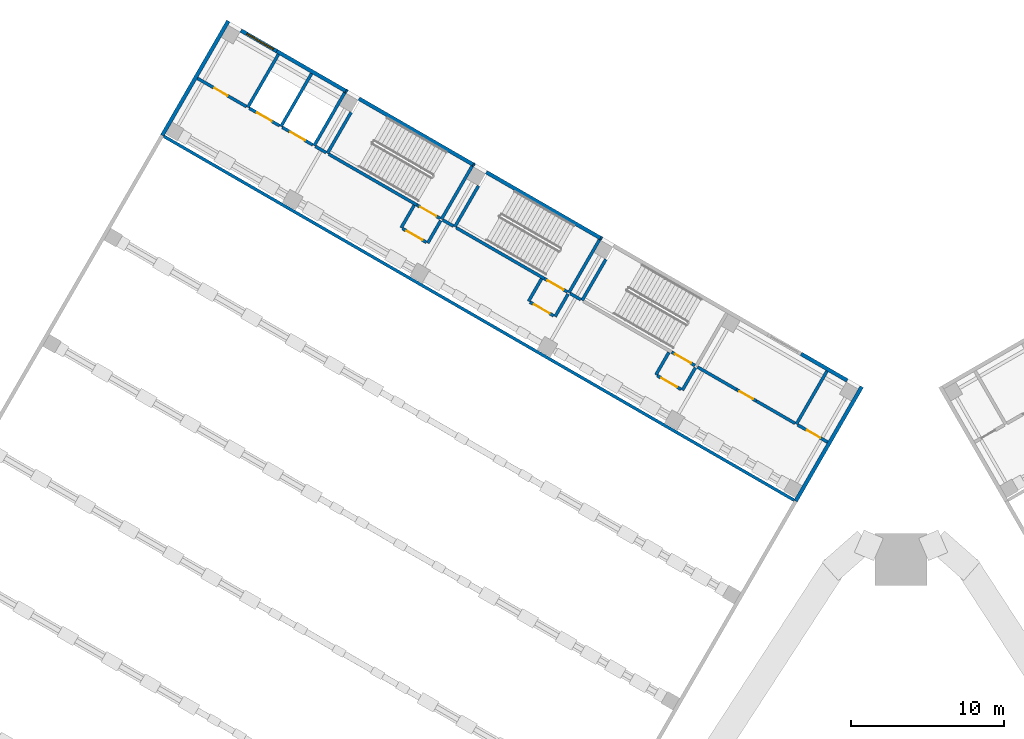
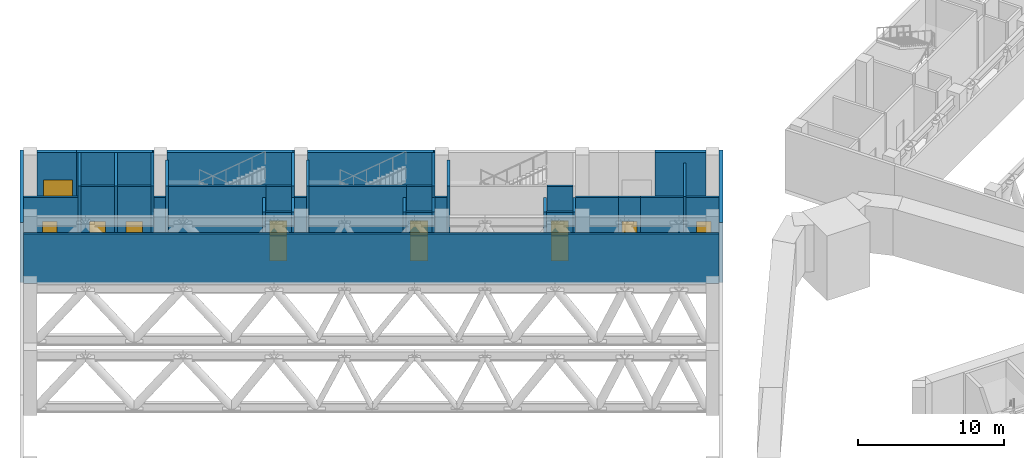
# One storey, part 20 of 37: 44 walls, 11 doors, 1 window, 12 openings.
"""IFC4 building model written with IfcOpenShell, lengths in metres."""

from ifc_helpers import new_model, si_unit, direction, frame, frame_2d, origin, place, context, subcontext, project, spatial, rectangle, extrude, material, layer, layer_set, type_object, element, fill, save


model = new_model("IFC4")

# Units and contexts
model_context = context("Model", 3, precision=1e-05, world=origin(), true_north=direction((0.0, 1.0)))
body_context = subcontext(model_context, "Body", "Model", "MODEL_VIEW")
ifc_project = project(units=[si_unit("LENGTHUNIT", "METRE"), si_unit("AREAUNIT", "SQUARE_METRE"), si_unit("VOLUMEUNIT", "CUBIC_METRE"), si_unit("PLANEANGLEUNIT", "RADIAN"), si_unit("MASSUNIT", "GRAM", prefix="KILO")], contexts=[model_context])

# Site, building, storey
site_placement = place(None, origin())
site = spatial("IfcSite", under=ifc_project, at=site_placement, CompositionType="ELEMENT")
building_placement = place(site_placement, origin())
building = spatial("IfcBuilding", under=site, at=building_placement, Name="Mestral Congress Tower", CompositionType="ELEMENT")
storey_placement = place(building_placement, frame((0.0, 0.0, 16.199951171875)))
storey = spatial("IfcBuildingStorey", under=building, at=storey_placement, Name="L03", CompositionType="ELEMENT", Elevation=16.199951171875)

# Walls
ifc_material_1 = material(Name="Precast concrete C40/50 with limestone facing", Category="masonry")
ifc_layer_1 = layer(ifc_material_1, 0.25)
ifc_layer_set_1 = layer_set([ifc_layer_1], Name="Precast concrete C40/50 with limestone facing")
wall_type_1 = type_object("IfcWallType", Name="Podium external wall 250", PredefinedType="SOLIDWALL", material=ifc_layer_set_1)
for number, where, z_axis, x_axis, name in (
    (1, (-2.5625, 47.66748046875, 0.0), (0.0, 0.0, 1.0), (-0.499999331568, -0.866025789703, 0.0), "L03 external wall"),
    (2, (-48.227783203125, 64.072998046875, 0.0), (0.0, 0.0, 1.0), (0.499999331568, 0.866025789703, 0.0), "L03 external wall"),
):
    element("IfcWall", number, at=place(storey_placement, frame(where, z_axis=z_axis, x_axis=x_axis)), inside=storey, type_object=wall_type_1, Name=name, PredefinedType="SOLIDWALL", context=body_context, shape_type="SweptSolid", body=[
        extrude(rectangle(XDim=8.625, YDim=0.25, at=frame_2d((4.3125, 0.0))), origin(), (0.0, 0.0, 1.0), 5.0),
    ])
wall_1_placement = place(storey_placement, frame((-6.522216796875, 49.80908203125, 0.0), z_axis=(0.0, 0.0, 1.0), x_axis=(0.866055725969, -0.499947476758, 0.0)))
element("IfcWall", 3, at=wall_1_placement, inside=storey, type_object=wall_type_1, Name="L03 external wall", PredefinedType="SOLIDWALL", context=body_context, shape_type="SweptSolid", body=[
    extrude(rectangle(XDim=3.474853515625, YDim=0.25, at=frame_2d((1.7373046875, 0.0))), origin(), (0.0, 0.0, 1.0), 5.0),
])
wall_2_placement = place(storey_placement, frame((-27.068603515625, 61.671630859375, 0.0), z_axis=(0.0, 0.0, 1.0), x_axis=(0.866021068297, -0.500007509209, 0.0)))
element("IfcWall", 4, at=wall_2_placement, inside=storey, type_object=wall_type_1, Name="L03 external wall", PredefinedType="SOLIDWALL", context=body_context, shape_type="SweptSolid", body=[
    extrude(rectangle(XDim=8.599853515625, YDim=0.25, at=frame_2d((4.2998046875, 0.0))), origin(), (0.0, 0.0, 1.0), 5.0),
])
wall_3_placement = place(storey_placement, frame((-35.382568359375, 66.4716796875, 0.0), z_axis=(0.0, 0.0, 1.0), x_axis=(0.866028165386, -0.499995216735, 0.0)))
element("IfcWall", 5, at=wall_3_placement, inside=storey, type_object=wall_type_1, Name="L03 external wall", PredefinedType="SOLIDWALL", context=body_context, shape_type="SweptSolid", body=[
    extrude(rectangle(XDim=8.60009765625, YDim=0.25, at=frame_2d((4.300048828125, 0.0))), origin(), (0.0, 0.0, 1.0), 5.0),
])
wall_4_placement = place(storey_placement, frame((-40.751708984375, 69.57177734375, 0.0), z_axis=(0.0, 0.0, 1.0), x_axis=(0.866009661879, -0.500027264788, 0.0)))
element("IfcWall", 6, at=wall_4_placement, inside=storey, type_object=wall_type_1, Name="L03 external wall", PredefinedType="SOLIDWALL", context=body_context, shape_type="SweptSolid", body=[
    extrude(rectangle(XDim=5.199951171875, YDim=0.25, at=frame_2d((2.60009765625, 0.0))), origin(), (0.0, 0.0, 1.0), 5.0),
])

# Wall, opening, window
wall_5_placement = place(storey_placement, frame((-43.090087890625, 70.921630859375, 0.0), z_axis=(0.0, 0.0, 1.0), x_axis=(0.866059108428, -0.4999416173, 0.0)))
wall_5 = element("IfcWall", 7, at=wall_5_placement, inside=storey, type_object=wall_type_1, Name="L03 external wall", PredefinedType="SOLIDWALL", context=body_context, shape_type="SweptSolid", body=[
    extrude(rectangle(XDim=2.699951171875, YDim=0.25, at=frame_2d((1.35009765625, 0.0))), origin(), (0.0, 0.0, 1.0), 5.0),
])
opening_1_placement = place(wall_5_placement, frame((0.449951171875, 0.0, 0.89990234375)))
opening_1 = element("IfcOpeningElement", 8, at=opening_1_placement, cuts=wall_5, Name="Opening PW-2000x1800", PredefinedType="OPENING", context=body_context, shape_type="SweptSolid", body=[
    extrude(rectangle(XDim=2.0, YDim=1.800048828125, at=frame_2d((1.0, 0.89990234375))), frame((0.0, 0.135009765625, 0.0), z_axis=(0.0, -1.0, 0.0), x_axis=(1.0, 0.0, 0.0)), (0.0, 0.0, 1.0), 0.27001953125),
])
ifc_material_2 = material(Name="Aluminium frame, clear double glazing", Category="aluminium")
window_type = type_object("IfcWindowType", Name="Podium window 2000x1800 sill 900", PartitioningType="SINGLE_PANEL", PredefinedType="WINDOW", material=ifc_material_2)
window_placement = place(opening_1_placement, origin())
window = element("IfcWindow", 9, at=window_placement, inside=storey, type_object=window_type, Name="Window", OverallHeight=1.800048828125, OverallWidth=2.0, PartitioningType="SINGLE_PANEL", PredefinedType="WINDOW", context=body_context, shape_type="SweptSolid", body=[
    extrude(rectangle(XDim=2.0, YDim=1.800048828125, at=frame_2d((1.0, 0.89990234375))), frame((0.0, 0.030029296875, 0.0), z_axis=(0.0, -1.0, 0.0), x_axis=(1.0, 0.0, 0.0)), (0.0, 0.0, 1.0), 0.06005859375),
])
fill(opening_1, window)

# Walls
wall_6_placement = place(storey_placement, frame((-19.620849609375, 57.37158203125, 0.0), z_axis=(0.0, 0.0, 1.0), x_axis=(0.867038199201, -0.4982416694, 0.0)))
element("IfcWall", 10, at=wall_6_placement, inside=storey, type_object=wall_type_1, Name="L03 external wall", PredefinedType="SOLIDWALL", context=body_context, shape_type="SweptSolid", body=[
    extrude(rectangle(XDim=0.099853515625, YDim=0.25, at=frame_2d((0.0498046875, 0.0))), origin(), (0.0, 0.0, 1.0), 5.0),
])
for number, where, z_axis, x_axis, name in (
    (11, (-27.9345703125, 62.171630859375, 0.0), (0.0, 0.0, 1.0), (0.865982457891, -0.500074377092, 0.0), "L03 external wall"),
    (12, (-36.24853515625, 66.9716796875, 0.0), (0.0, 0.0, 1.0), (0.865982457891, -0.500074377092, 0.0), "L03 external wall"),
):
    element("IfcWall", number, at=place(storey_placement, frame(where, z_axis=z_axis, x_axis=x_axis)), inside=storey, type_object=wall_type_1, Name=name, PredefinedType="SOLIDWALL", context=body_context, shape_type="SweptSolid", body=[
        extrude(rectangle(XDim=0.10009765625, YDim=0.25, at=frame_2d((0.050048828125, 0.0))), origin(), (0.0, 0.0, 1.0), 5.0),
    ])
ifc_material_3 = material(Name="Masonry block wall", Category="masonry")
ifc_layer_2 = layer(ifc_material_3, 0.199951171875)
ifc_layer_set_2 = layer_set([ifc_layer_2], Name="Masonry block wall")
wall_type_2 = type_object("IfcWallType", Name="Podium stair enclosure wall 200 EI 120 load-bearing", PredefinedType="SOLIDWALL", material=ifc_layer_set_2)
wall_7_placement = place(storey_placement, frame((-19.267333984375, 55.984130859375, 0.0), z_axis=(0.0, 0.0, 1.0), x_axis=(-0.49999285859, -0.86602952684, 0.0)))
element("IfcWall", 13, at=wall_7_placement, inside=storey, type_object=wall_type_2, Name="L03 partition", PredefinedType="SOLIDWALL", context=body_context, shape_type="SweptSolid", body=[
    extrude(rectangle(XDim=3.10009765625, YDim=0.199951171875, at=frame_2d((1.550048828125, 0.0))), origin(), (0.0, 0.0, 1.0), 5.0),
])
wall_8_placement = place(storey_placement, frame((-19.683349609375, 57.263427734375, 0.0), z_axis=(0.0, 0.0, 1.0), x_axis=(-0.49999894854, -0.866026010844, 0.0)))
element("IfcWall", 14, at=wall_8_placement, inside=storey, type_object=wall_type_2, Name="L03 partition", PredefinedType="SOLIDWALL", context=body_context, shape_type="SweptSolid", body=[
    extrude(rectangle(XDim=4.0, YDim=0.199951171875, at=frame_2d((2.0, 0.0))), origin(), (0.0, 0.0, 1.0), 5.0),
])
wall_9_placement = place(storey_placement, frame((-27.5810546875, 60.7841796875, 0.0), z_axis=(0.0, 0.0, 1.0), x_axis=(-0.49999285859, -0.86602952684, 0.0)))
element("IfcWall", 15, at=wall_9_placement, inside=storey, type_object=wall_type_2, Name="L03 partition", PredefinedType="SOLIDWALL", context=body_context, shape_type="SweptSolid", body=[
    extrude(rectangle(XDim=3.10009765625, YDim=0.199951171875, at=frame_2d((1.550048828125, 0.0))), origin(), (0.0, 0.0, 1.0), 5.0),
])
wall_10_placement = place(storey_placement, frame((-27.9970703125, 62.0634765625, 0.0), z_axis=(0.0, 0.0, 1.0), x_axis=(-0.49999894854, -0.866026010844, 0.0)))
element("IfcWall", 16, at=wall_10_placement, inside=storey, type_object=wall_type_2, Name="L03 partition", PredefinedType="SOLIDWALL", context=body_context, shape_type="SweptSolid", body=[
    extrude(rectangle(XDim=4.0, YDim=0.199951171875, at=frame_2d((2.0, 0.0))), origin(), (0.0, 0.0, 1.0), 5.0),
])
wall_11_placement = place(storey_placement, frame((-35.89501953125, 65.583984375, 0.0), z_axis=(0.0, 0.0, 1.0), x_axis=(-0.500026960575, -0.86600983753, 0.0)))
element("IfcWall", 17, at=wall_11_placement, inside=storey, type_object=wall_type_2, Name="L03 partition", PredefinedType="SOLIDWALL", context=body_context, shape_type="SweptSolid", body=[
    extrude(rectangle(XDim=3.099853515625, YDim=0.199951171875, at=frame_2d((1.5498046875, 0.0))), origin(), (0.0, 0.0, 1.0), 5.0),
])

# Wall, opening, door
wall_12_placement = place(storey_placement, frame((-14.9716796875, 49.92431640625, 0.0), z_axis=(0.0, 0.0, 1.0), x_axis=(0.866036909293, -0.499980071345, 0.0)))
wall_12 = element("IfcWall", 18, at=wall_12_placement, inside=storey, type_object=wall_type_2, Name="L03 partition", PredefinedType="SOLIDWALL", context=body_context, shape_type="SweptSolid", body=[
    extrude(rectangle(XDim=1.75, YDim=0.199951171875, at=frame_2d((0.875, 0.0))), origin(), (0.0, 0.0, 1.0), 5.0),
])
opening_2_placement = place(wall_12_placement, frame((0.25, 0.0, 0.0)))
opening_2 = element("IfcOpeningElement", 19, at=opening_2_placement, cuts=wall_12, Name="Opening P03-301", PredefinedType="OPENING", context=body_context, shape_type="SweptSolid", body=[
    extrude(rectangle(XDim=1.199951171875, YDim=2.10009765625, at=frame_2d((0.60009765625, 1.050048828125))), frame((0.0, 0.10986328125, 0.0), z_axis=(0.0, -1.0, 0.0), x_axis=(1.0, 0.0, 0.0)), (0.0, 0.0, 1.0), 0.219970703125),
])
ifc_material_4 = material(Name="Fire-rated steel door set", Category="steel")
door_type_1 = type_object("IfcDoorType", Name="Podium stair door 1200x2100 EI2 30-C5", OperationType="SINGLE_SWING_LEFT", PredefinedType="DOOR", material=ifc_material_4)
door_1_placement = place(opening_2_placement, origin())
door_1 = element("IfcDoor", 20, at=door_1_placement, inside=storey, type_object=door_type_1, Name="Door P03-301", OperationType="SINGLE_SWING_LEFT", OverallHeight=2.10009765625, OverallWidth=1.199951171875, PredefinedType="DOOR", context=body_context, shape_type="SweptSolid", body=[
    extrude(rectangle(XDim=1.199951171875, YDim=2.10009765625, at=frame_2d((0.60009765625, 1.050048828125))), frame((0.0, 0.02490234375, 0.0), z_axis=(0.0, -1.0, 0.0), x_axis=(1.0, 0.0, 0.0)), (0.0, 0.0, 1.0), 0.050048828125),
])
fill(opening_2, door_1)

wall_13_placement = place(storey_placement, frame((-23.285400390625, 54.724365234375, 0.0), z_axis=(0.0, 0.0, 1.0), x_axis=(0.866002029911, -0.500040482552, 0.0)))
wall_13 = element("IfcWall", 21, at=wall_13_placement, inside=storey, type_object=wall_type_2, Name="L03 partition", PredefinedType="SOLIDWALL", context=body_context, shape_type="SweptSolid", body=[
    extrude(rectangle(XDim=1.749755859375, YDim=0.199951171875, at=frame_2d((0.875, 0.0))), origin(), (0.0, 0.0, 1.0), 5.0),
])
opening_3_placement = place(wall_13_placement, frame((0.25, 0.0, 0.0)))
opening_3 = element("IfcOpeningElement", 22, at=opening_3_placement, cuts=wall_13, Name="Opening P03-302", PredefinedType="OPENING", context=body_context, shape_type="SweptSolid", body=[
    extrude(rectangle(XDim=1.199951171875, YDim=2.10009765625, at=frame_2d((0.60009765625, 1.050048828125))), frame((0.0, 0.10986328125, 0.0), z_axis=(0.0, -1.0, 0.0), x_axis=(1.0, 0.0, 0.0)), (0.0, 0.0, 1.0), 0.219970703125),
])
door_2_placement = place(opening_3_placement, origin())
door_2 = element("IfcDoor", 23, at=door_2_placement, inside=storey, type_object=door_type_1, Name="Door P03-302", OperationType="SINGLE_SWING_LEFT", OverallHeight=2.10009765625, OverallWidth=1.199951171875, PredefinedType="DOOR", context=body_context, shape_type="SweptSolid", body=[
    extrude(rectangle(XDim=1.199951171875, YDim=2.10009765625, at=frame_2d((0.60009765625, 1.050048828125))), frame((0.0, 0.02490234375, 0.0), z_axis=(0.0, -1.0, 0.0), x_axis=(1.0, 0.0, 0.0)), (0.0, 0.0, 1.0), 0.050048828125),
])
fill(opening_3, door_2)

# Wall
wall_14_placement = place(storey_placement, frame((-23.285400390625, 54.724365234375, 0.0), z_axis=(0.0, 0.0, 1.0), x_axis=(-0.866027239912, 0.49999681972, 0.0)))
element("IfcWall", 24, at=wall_14_placement, inside=storey, type_object=wall_type_2, Name="L03 partition", PredefinedType="SOLIDWALL", context=body_context, shape_type="SweptSolid", body=[
    extrude(rectangle(XDim=6.64990234375, YDim=0.199951171875, at=frame_2d((3.324951171875, 0.0))), origin(), (0.0, 0.0, 1.0), 5.0),
])

# Wall, opening, door
wall_15_placement = place(storey_placement, frame((-31.599365234375, 59.5244140625, 0.0), z_axis=(0.0, 0.0, 1.0), x_axis=(0.866036909293, -0.499980071345, 0.0)))
wall_15 = element("IfcWall", 25, at=wall_15_placement, inside=storey, type_object=wall_type_2, Name="L03 partition", PredefinedType="SOLIDWALL", context=body_context, shape_type="SweptSolid", body=[
    extrude(rectangle(XDim=1.75, YDim=0.199951171875, at=frame_2d((0.875, 0.0))), origin(), (0.0, 0.0, 1.0), 5.0),
])
opening_4_placement = place(wall_15_placement, frame((0.25, 0.0, 0.0)))
opening_4 = element("IfcOpeningElement", 26, at=opening_4_placement, cuts=wall_15, Name="Opening P03-303", PredefinedType="OPENING", context=body_context, shape_type="SweptSolid", body=[
    extrude(rectangle(XDim=1.199951171875, YDim=2.10009765625, at=frame_2d((0.60009765625, 1.050048828125))), frame((0.0, 0.10986328125, 0.0), z_axis=(0.0, -1.0, 0.0), x_axis=(1.0, 0.0, 0.0)), (0.0, 0.0, 1.0), 0.219970703125),
])
door_3_placement = place(opening_4_placement, origin())
door_3 = element("IfcDoor", 27, at=door_3_placement, inside=storey, type_object=door_type_1, Name="Door P03-303", OperationType="SINGLE_SWING_LEFT", OverallHeight=2.10009765625, OverallWidth=1.199951171875, PredefinedType="DOOR", context=body_context, shape_type="SweptSolid", body=[
    extrude(rectangle(XDim=1.199951171875, YDim=2.10009765625, at=frame_2d((0.60009765625, 1.050048828125))), frame((0.0, 0.02490234375, 0.0), z_axis=(0.0, -1.0, 0.0), x_axis=(1.0, 0.0, 0.0)), (0.0, 0.0, 1.0), 0.050048828125),
])
fill(opening_4, door_3)

# Walls
wall_16_placement = place(storey_placement, frame((-31.599365234375, 59.5244140625, 0.0), z_axis=(0.0, 0.0, 1.0), x_axis=(-0.866027239912, 0.49999681972, 0.0)))
element("IfcWall", 28, at=wall_16_placement, inside=storey, type_object=wall_type_2, Name="L03 partition", PredefinedType="SOLIDWALL", context=body_context, shape_type="SweptSolid", body=[
    extrude(rectangle(XDim=6.64990234375, YDim=0.199951171875, at=frame_2d((3.324951171875, 0.0))), origin(), (0.0, 0.0, 1.0), 5.0),
])
for number, where, z_axis, x_axis, name in (
    (29, (-36.31103515625, 66.863525390625, 0.0), (0.0, 0.0, 1.0), (-0.49999894854, -0.866026010844, 0.0), "L03 partition"),
    (30, (-38.47607421875, 68.113525390625, 0.0), (0.0, 0.0, 1.0), (-0.49999894854, -0.866026010844, 0.0), "L03 partition"),
    (31, (-40.64111328125, 69.363525390625, 0.0), (0.0, 0.0, 1.0), (-0.49999894854, -0.866026010844, 0.0), "L03 partition"),
):
    element("IfcWall", number, at=place(storey_placement, frame(where, z_axis=z_axis, x_axis=x_axis)), inside=storey, type_object=wall_type_2, Name=name, PredefinedType="SOLIDWALL", context=body_context, shape_type="SweptSolid", body=[
        extrude(rectangle(XDim=4.0, YDim=0.199951171875, at=frame_2d((2.0, 0.0))), origin(), (0.0, 0.0, 1.0), 5.0),
    ])

# Wall, opening, door
wall_17_placement = place(storey_placement, frame((-40.389404296875, 64.599365234375, 0.0), z_axis=(0.0, 0.0, 1.0), x_axis=(0.86602648383, -0.499998129301, 0.0)))
wall_17 = element("IfcWall", 32, at=wall_17_placement, inside=storey, type_object=wall_type_2, Name="L03 partition", PredefinedType="SOLIDWALL", context=body_context, shape_type="SweptSolid", body=[
    extrude(rectangle(XDim=2.2998046875, YDim=0.199951171875, at=frame_2d((1.14990234375, 0.0))), origin(), (0.0, 0.0, 1.0), 5.0),
])
opening_5_placement = place(wall_17_placement, frame((0.60009765625, 0.0, 0.0)))
opening_5 = element("IfcOpeningElement", 33, at=opening_5_placement, cuts=wall_17, Name="Opening P03-307", PredefinedType="OPENING", context=body_context, shape_type="SweptSolid", body=[
    extrude(rectangle(XDim=1.10009765625, YDim=2.10009765625, at=frame_2d((0.550048828125, 1.050048828125))), frame((0.0, 0.10986328125, 0.0), z_axis=(0.0, -1.0, 0.0), x_axis=(1.0, 0.0, 0.0)), (0.0, 0.0, 1.0), 0.219970703125),
])
door_type_2 = type_object("IfcDoorType", Name="Podium lift landing door 1100x2100 EI2 60-C5", OperationType="DOUBLE_DOOR_SLIDING", PredefinedType="DOOR", material=ifc_material_4)
door_4_placement = place(opening_5_placement, origin())
door_4 = element("IfcDoor", 34, at=door_4_placement, inside=storey, type_object=door_type_2, Name="Door P03-307", OperationType="DOUBLE_DOOR_SLIDING", OverallHeight=2.10009765625, OverallWidth=1.10009765625, PredefinedType="DOOR", context=body_context, shape_type="SweptSolid", body=[
    extrude(rectangle(XDim=1.10009765625, YDim=2.10009765625, at=frame_2d((0.550048828125, 1.050048828125))), frame((0.0, 0.02490234375, 0.0), z_axis=(0.0, -1.0, 0.0), x_axis=(1.0, 0.0, 0.0)), (0.0, 0.0, 1.0), 0.050048828125),
])
fill(opening_5, door_4)

wall_18_placement = place(storey_placement, frame((-42.554443359375, 65.849365234375, 0.0), z_axis=(0.0, 0.0, 1.0), x_axis=(0.86602648383, -0.499998129301, 0.0)))
wall_18 = element("IfcWall", 35, at=wall_18_placement, inside=storey, type_object=wall_type_2, Name="L03 partition", PredefinedType="SOLIDWALL", context=body_context, shape_type="SweptSolid", body=[
    extrude(rectangle(XDim=2.2998046875, YDim=0.199951171875, at=frame_2d((1.14990234375, 0.0))), origin(), (0.0, 0.0, 1.0), 5.0),
])
opening_6_placement = place(wall_18_placement, frame((0.60009765625, 0.0, 0.0)))
opening_6 = element("IfcOpeningElement", 36, at=opening_6_placement, cuts=wall_18, Name="Opening P03-308", PredefinedType="OPENING", context=body_context, shape_type="SweptSolid", body=[
    extrude(rectangle(XDim=1.10009765625, YDim=2.10009765625, at=frame_2d((0.550048828125, 1.050048828125))), frame((0.0, 0.10986328125, 0.0), z_axis=(0.0, -1.0, 0.0), x_axis=(1.0, 0.0, 0.0)), (0.0, 0.0, 1.0), 0.219970703125),
])
door_5_placement = place(opening_6_placement, origin())
door_5 = element("IfcDoor", 37, at=door_5_placement, inside=storey, type_object=door_type_2, Name="Door P03-308", OperationType="DOUBLE_DOOR_SLIDING", OverallHeight=2.10009765625, OverallWidth=1.10009765625, PredefinedType="DOOR", context=body_context, shape_type="SweptSolid", body=[
    extrude(rectangle(XDim=1.10009765625, YDim=2.10009765625, at=frame_2d((0.550048828125, 1.050048828125))), frame((0.0, 0.02490234375, 0.0), z_axis=(0.0, -1.0, 0.0), x_axis=(1.0, 0.0, 0.0)), (0.0, 0.0, 1.0), 0.050048828125),
])
fill(opening_6, door_5)

# Walls
ifc_material_5 = material(Name="Fire-rated board partition")
ifc_layer_3 = layer(ifc_material_5, 0.199951171875)
ifc_layer_set_3 = layer_set([ifc_layer_3], Name="Fire-rated board partition")
wall_type_3 = type_object("IfcWallType", Name="Podium vestibule wall 200 EI 120", PredefinedType="PARTITIONING", material=ifc_layer_set_3)
wall_19_placement = place(storey_placement, frame((-13.41943359375, 48.912841796875, 0.0), z_axis=(0.0, 0.0, 1.0), x_axis=(-0.500000056704, -0.866025371046, 0.0)))
element("IfcWall", 38, at=wall_19_placement, inside=storey, type_object=wall_type_3, Name="L03 partition", PredefinedType="PARTITIONING", context=body_context, shape_type="SweptSolid", body=[
    extrude(rectangle(XDim=1.7001953125, YDim=0.199951171875, at=frame_2d((0.85009765625, 0.0))), origin(), (0.0, 0.0, 1.0), 4.10009765625),
])
for number, where, z_axis, x_axis, name in (
    (39, (-15.151611328125, 49.912841796875, 0.0), (0.0, 0.0, 1.0), (-0.499892348375, -0.866087547558, 0.0), "L03 partition"),
    (40, (-21.7333984375, 53.712890625, 0.0), (0.0, 0.0, 1.0), (-0.499892348375, -0.866087547558, 0.0), "L03 partition"),
):
    element("IfcWall", number, at=place(storey_placement, frame(where, z_axis=z_axis, x_axis=x_axis)), inside=storey, type_object=wall_type_3, Name=name, PredefinedType="PARTITIONING", context=body_context, shape_type="SweptSolid", body=[
        extrude(rectangle(XDim=1.699951171875, YDim=0.199951171875, at=frame_2d((0.85009765625, 0.0))), origin(), (0.0, 0.0, 1.0), 4.10009765625),
    ])
wall_20_placement = place(storey_placement, frame((-23.46533203125, 54.712890625, 0.0), z_axis=(0.0, 0.0, 1.0), x_axis=(-0.500000056704, -0.866025371046, 0.0)))
element("IfcWall", 41, at=wall_20_placement, inside=storey, type_object=wall_type_3, Name="L03 partition", PredefinedType="PARTITIONING", context=body_context, shape_type="SweptSolid", body=[
    extrude(rectangle(XDim=1.7001953125, YDim=0.199951171875, at=frame_2d((0.85009765625, 0.0))), origin(), (0.0, 0.0, 1.0), 4.10009765625),
])
for number, where, z_axis, x_axis, name in (
    (42, (-30.047119140625, 58.5126953125, 0.0), (0.0, 0.0, 1.0), (-0.500062241894, -0.865989465428, 0.0), "L03 partition"),
    (43, (-31.779296875, 59.5126953125, 0.0), (0.0, 0.0, 1.0), (-0.499954529098, -0.86605165483, 0.0), "L03 partition"),
):
    element("IfcWall", number, at=place(storey_placement, frame(where, z_axis=z_axis, x_axis=x_axis)), inside=storey, type_object=wall_type_3, Name=name, PredefinedType="PARTITIONING", context=body_context, shape_type="SweptSolid", body=[
        extrude(rectangle(XDim=1.699951171875, YDim=0.199951171875, at=frame_2d((0.85009765625, 0.0))), origin(), (0.0, 0.0, 1.0), 4.10009765625),
    ])

# Wall, opening, door
wall_21_placement = place(storey_placement, frame((-15.914794921875, 48.390380859375, 0.0), z_axis=(0.0, 0.0, 1.0), x_axis=(0.866013897511, -0.50001992892, 0.0)))
wall_21 = element("IfcWall", 44, at=wall_21_placement, inside=storey, type_object=wall_type_3, Name="L03 partition", PredefinedType="PARTITIONING", context=body_context, shape_type="SweptSolid", body=[
    extrude(rectangle(XDim=1.7998046875, YDim=0.199951171875, at=frame_2d((0.89990234375, 0.0))), origin(), (0.0, 0.0, 1.0), 4.10009765625),
])
opening_7_placement = place(wall_21_placement, frame((0.300048828125, 0.0, 0.0)))
opening_7 = element("IfcOpeningElement", 45, at=opening_7_placement, cuts=wall_21, Name="Opening P03-311", PredefinedType="OPENING", context=body_context, shape_type="SweptSolid", body=[
    extrude(rectangle(XDim=1.199951171875, YDim=2.10009765625, at=frame_2d((0.60009765625, 1.050048828125))), frame((0.0, 0.10986328125, 0.0), z_axis=(0.0, -1.0, 0.0), x_axis=(1.0, 0.0, 0.0)), (0.0, 0.0, 1.0), 0.219970703125),
])
door_type_3 = type_object("IfcDoorType", Name="Podium vestibule door 1200x2100 EI2 30-C5", OperationType="SINGLE_SWING_LEFT", PredefinedType="DOOR", material=ifc_material_4)
door_6_placement = place(opening_7_placement, origin())
door_6 = element("IfcDoor", 46, at=door_6_placement, inside=storey, type_object=door_type_3, Name="Door P03-311", OperationType="SINGLE_SWING_LEFT", OverallHeight=2.10009765625, OverallWidth=1.199951171875, PredefinedType="DOOR", context=body_context, shape_type="SweptSolid", body=[
    extrude(rectangle(XDim=1.199951171875, YDim=2.10009765625, at=frame_2d((0.60009765625, 1.050048828125))), frame((0.0, 0.02490234375, 0.0), z_axis=(0.0, -1.0, 0.0), x_axis=(1.0, 0.0, 0.0)), (0.0, 0.0, 1.0), 0.050048828125),
])
fill(opening_7, door_6)

wall_22_placement = place(storey_placement, frame((-24.228759765625, 53.1904296875, 0.0), z_axis=(0.0, 0.0, 1.0), x_axis=(0.866047807691, -0.499961193289, 0.0)))
wall_22 = element("IfcWall", 47, at=wall_22_placement, inside=storey, type_object=wall_type_3, Name="L03 partition", PredefinedType="PARTITIONING", context=body_context, shape_type="SweptSolid", body=[
    extrude(rectangle(XDim=1.800048828125, YDim=0.199951171875, at=frame_2d((0.89990234375, 0.0))), origin(), (0.0, 0.0, 1.0), 4.10009765625),
])
opening_8_placement = place(wall_22_placement, frame((0.300048828125, 0.0, 0.0)))
opening_8 = element("IfcOpeningElement", 48, at=opening_8_placement, cuts=wall_22, Name="Opening P03-312", PredefinedType="OPENING", context=body_context, shape_type="SweptSolid", body=[
    extrude(rectangle(XDim=1.199951171875, YDim=2.10009765625, at=frame_2d((0.60009765625, 1.050048828125))), frame((0.0, 0.10986328125, 0.0), z_axis=(0.0, -1.0, 0.0), x_axis=(1.0, 0.0, 0.0)), (0.0, 0.0, 1.0), 0.219970703125),
])
door_7_placement = place(opening_8_placement, origin())
door_7 = element("IfcDoor", 49, at=door_7_placement, inside=storey, type_object=door_type_3, Name="Door P03-312", OperationType="SINGLE_SWING_LEFT", OverallHeight=2.10009765625, OverallWidth=1.199951171875, PredefinedType="DOOR", context=body_context, shape_type="SweptSolid", body=[
    extrude(rectangle(XDim=1.199951171875, YDim=2.10009765625, at=frame_2d((0.60009765625, 1.050048828125))), frame((0.0, 0.02490234375, 0.0), z_axis=(0.0, -1.0, 0.0), x_axis=(1.0, 0.0, 0.0)), (0.0, 0.0, 1.0), 0.050048828125),
])
fill(opening_8, door_7)

wall_23_placement = place(storey_placement, frame((-32.54248046875, 57.990478515625, 0.0), z_axis=(0.0, 0.0, 1.0), x_axis=(0.866047807691, -0.499961193289, 0.0)))
wall_23 = element("IfcWall", 50, at=wall_23_placement, inside=storey, type_object=wall_type_3, Name="L03 partition", PredefinedType="PARTITIONING", context=body_context, shape_type="SweptSolid", body=[
    extrude(rectangle(XDim=1.800048828125, YDim=0.199951171875, at=frame_2d((0.89990234375, 0.0))), origin(), (0.0, 0.0, 1.0), 4.10009765625),
])
opening_9_placement = place(wall_23_placement, frame((0.300048828125, 0.0, 0.0)))
opening_9 = element("IfcOpeningElement", 51, at=opening_9_placement, cuts=wall_23, Name="Opening P03-313", PredefinedType="OPENING", context=body_context, shape_type="SweptSolid", body=[
    extrude(rectangle(XDim=1.199951171875, YDim=2.10009765625, at=frame_2d((0.60009765625, 1.050048828125))), frame((0.0, 0.10986328125, 0.0), z_axis=(0.0, -1.0, 0.0), x_axis=(1.0, 0.0, 0.0)), (0.0, 0.0, 1.0), 0.219970703125),
])
door_8_placement = place(opening_9_placement, origin())
door_8 = element("IfcDoor", 52, at=door_8_placement, inside=storey, type_object=door_type_3, Name="Door P03-313", OperationType="SINGLE_SWING_LEFT", OverallHeight=2.10009765625, OverallWidth=1.199951171875, PredefinedType="DOOR", context=body_context, shape_type="SweptSolid", body=[
    extrude(rectangle(XDim=1.199951171875, YDim=2.10009765625, at=frame_2d((0.60009765625, 1.050048828125))), frame((0.0, 0.02490234375, 0.0), z_axis=(0.0, -1.0, 0.0), x_axis=(1.0, 0.0, 0.0)), (0.0, 0.0, 1.0), 0.050048828125),
])
fill(opening_9, door_8)

# Wall
wall_24_placement = place(storey_placement, frame((-4.8310546875, 48.6884765625, 0.0), z_axis=(0.0, 0.0, 1.0), x_axis=(-0.49999894854, -0.866026010844, 0.0)))
element("IfcWall", 53, at=wall_24_placement, inside=storey, type_object=wall_type_3, Name="L03 partition", PredefinedType="PARTITIONING", context=body_context, shape_type="SweptSolid", body=[
    extrude(rectangle(XDim=4.0, YDim=0.199951171875, at=frame_2d((2.0, 0.0))), origin(), (0.0, 0.0, 1.0), 4.10009765625),
])

# Wall, opening, door
wall_25_placement = place(storey_placement, frame((-6.744384765625, 45.17431640625, 0.0), z_axis=(0.0, 0.0, 1.0), x_axis=(0.866017533419, -0.500013631625, 0.0)))
wall_25 = element("IfcWall", 54, at=wall_25_placement, inside=storey, type_object=wall_type_3, Name="L03 partition", PredefinedType="PARTITIONING", context=body_context, shape_type="SweptSolid", body=[
    extrude(rectangle(XDim=2.25, YDim=0.199951171875, at=frame_2d((1.125, 0.0))), origin(), (0.0, 0.0, 1.0), 4.10009765625),
])
opening_10_placement = place(wall_25_placement, frame((0.699951171875, 0.0, 0.0)))
opening_10 = element("IfcOpeningElement", 55, at=opening_10_placement, cuts=wall_25, Name="Opening P03-317", PredefinedType="OPENING", context=body_context, shape_type="SweptSolid", body=[
    extrude(rectangle(XDim=1.0, YDim=2.10009765625, at=frame_2d((0.5, 1.050048828125))), frame((0.0, 0.10986328125, 0.0), z_axis=(0.0, -1.0, 0.0), x_axis=(1.0, 0.0, 0.0)), (0.0, 0.0, 1.0), 0.219970703125),
])
door_type_4 = type_object("IfcDoorType", Name="Podium room door 1000x2100 EI2 30-C5", OperationType="SINGLE_SWING_LEFT", PredefinedType="DOOR", material=ifc_material_4)
door_9_placement = place(opening_10_placement, origin())
door_9 = element("IfcDoor", 56, at=door_9_placement, inside=storey, type_object=door_type_4, Name="Door P03-317", OperationType="SINGLE_SWING_LEFT", OverallHeight=2.10009765625, OverallWidth=1.0, PredefinedType="DOOR", context=body_context, shape_type="SweptSolid", body=[
    extrude(rectangle(XDim=1.0, YDim=2.10009765625, at=frame_2d((0.5, 1.050048828125))), frame((0.0, 0.02490234375, 0.0), z_axis=(0.0, -1.0, 0.0), x_axis=(1.0, 0.0, 0.0)), (0.0, 0.0, 1.0), 0.050048828125),
])
fill(opening_10, door_9)

# Wall
wall_26_placement = place(storey_placement, frame((-6.91748046875, 45.2744140625, 0.0), z_axis=(0.0, 0.0, 1.0), x_axis=(-0.866046596414, 0.499963291492, 0.0)))
element("IfcWall", 57, at=wall_26_placement, inside=storey, type_object=wall_type_3, Name="L03 partition", PredefinedType="PARTITIONING", context=body_context, shape_type="SweptSolid", body=[
    extrude(rectangle(XDim=2.925048828125, YDim=0.199951171875, at=frame_2d((1.46240234375, 0.0))), origin(), (0.0, 0.0, 1.0), 4.10009765625),
])

# Wall, opening, door
wall_27_placement = place(storey_placement, frame((-10.749755859375, 47.48681640625, 0.0), z_axis=(0.0, 0.0, 1.0), x_axis=(0.866031096941, -0.499990139034, 0.0)))
wall_27 = element("IfcWall", 58, at=wall_27_placement, inside=storey, type_object=wall_type_3, Name="L03 partition", PredefinedType="PARTITIONING", context=body_context, shape_type="SweptSolid", body=[
    extrude(rectangle(XDim=1.5, YDim=0.199951171875, at=frame_2d((0.75, 0.0))), origin(), (0.0, 0.0, 1.0), 4.10009765625),
])
opening_11_placement = place(wall_27_placement, frame((0.25, 0.0, 0.0)))
opening_11 = element("IfcOpeningElement", 59, at=opening_11_placement, cuts=wall_27, Name="Opening P03-321", PredefinedType="OPENING", context=body_context, shape_type="SweptSolid", body=[
    extrude(rectangle(XDim=1.0, YDim=2.10009765625, at=frame_2d((0.5, 1.050048828125))), frame((0.0, 0.10986328125, 0.0), z_axis=(0.0, -1.0, 0.0), x_axis=(1.0, 0.0, 0.0)), (0.0, 0.0, 1.0), 0.219970703125),
])
door_10_placement = place(opening_11_placement, origin())
door_10 = element("IfcDoor", 60, at=door_10_placement, inside=storey, type_object=door_type_4, Name="Door P03-321", OperationType="SINGLE_SWING_LEFT", OverallHeight=2.10009765625, OverallWidth=1.0, PredefinedType="DOOR", context=body_context, shape_type="SweptSolid", body=[
    extrude(rectangle(XDim=1.0, YDim=2.10009765625, at=frame_2d((0.5, 1.050048828125))), frame((0.0, 0.02490234375, 0.0), z_axis=(0.0, -1.0, 0.0), x_axis=(1.0, 0.0, 0.0)), (0.0, 0.0, 1.0), 0.050048828125),
])
fill(opening_11, door_10)

# Wall
wall_28_placement = place(storey_placement, frame((-10.749755859375, 47.48681640625, 0.0), z_axis=(0.0, 0.0, 1.0), x_axis=(-0.86601045545, 0.500025890382, 0.0)))
element("IfcWall", 61, at=wall_28_placement, inside=storey, type_object=wall_type_3, Name="L03 partition", PredefinedType="PARTITIONING", context=body_context, shape_type="SweptSolid", body=[
    extrude(rectangle(XDim=2.925048828125, YDim=0.199951171875, at=frame_2d((1.46240234375, 0.0))), origin(), (0.0, 0.0, 1.0), 4.10009765625),
])

# Wall, opening, door
wall_29_placement = place(storey_placement, frame((-45.931884765625, 67.79931640625, 0.0), z_axis=(0.0, 0.0, 1.0), x_axis=(0.866029545028, -0.499992827086, 0.0)))
wall_29 = element("IfcWall", 62, at=wall_29_placement, inside=storey, type_object=wall_type_3, Name="L03 partition", PredefinedType="PARTITIONING", context=body_context, shape_type="SweptSolid", body=[
    extrude(rectangle(XDim=3.69970703125, YDim=0.199951171875, at=frame_2d((1.849853515625, 0.0))), origin(), (0.0, 0.0, 1.0), 4.10009765625),
])
opening_12_placement = place(wall_29_placement, frame((1.27490234375, 0.0, 0.0)))
opening_12 = element("IfcOpeningElement", 63, at=opening_12_placement, cuts=wall_29, Name="Opening P03-322", PredefinedType="OPENING", context=body_context, shape_type="SweptSolid", body=[
    extrude(rectangle(XDim=1.0, YDim=2.10009765625, at=frame_2d((0.5, 1.050048828125))), frame((0.0, 0.10986328125, 0.0), z_axis=(0.0, -1.0, 0.0), x_axis=(1.0, 0.0, 0.0)), (0.0, 0.0, 1.0), 0.219970703125),
])
door_11_placement = place(opening_12_placement, origin())
door_11 = element("IfcDoor", 64, at=door_11_placement, inside=storey, type_object=door_type_4, Name="Door P03-322", OperationType="SINGLE_SWING_LEFT", OverallHeight=2.10009765625, OverallWidth=1.0, PredefinedType="DOOR", context=body_context, shape_type="SweptSolid", body=[
    extrude(rectangle(XDim=1.0, YDim=2.10009765625, at=frame_2d((0.5, 1.050048828125))), frame((0.0, 0.02490234375, 0.0), z_axis=(0.0, -1.0, 0.0), x_axis=(1.0, 0.0, 0.0)), (0.0, 0.0, 1.0), 0.050048828125),
])
fill(opening_12, door_11)

# Walls
wall_30_placement = place(storey_placement, frame((-20.90380859375, 53.349365234375, 0.0), z_axis=(0.0, 0.0, 1.0), x_axis=(-0.865961984968, 0.500109828528, 0.0)))
element("IfcWall", 65, at=wall_30_placement, inside=storey, type_object=wall_type_3, Name="L03 partition", PredefinedType="PARTITIONING", context=body_context, shape_type="SweptSolid", body=[
    extrude(rectangle(XDim=0.800048828125, YDim=0.199951171875, at=frame_2d((0.39990234375, 0.0))), origin(), (0.0, 0.0, 1.0), 4.10009765625),
])
wall_31_placement = place(storey_placement, frame((-29.2177734375, 58.1494140625, 0.0), z_axis=(0.0, 0.0, 1.0), x_axis=(-0.866017831539, 0.500013115284, 0.0)))
element("IfcWall", 66, at=wall_31_placement, inside=storey, type_object=wall_type_3, Name="L03 partition", PredefinedType="PARTITIONING", context=body_context, shape_type="SweptSolid", body=[
    extrude(rectangle(XDim=0.7998046875, YDim=0.199951171875, at=frame_2d((0.39990234375, 0.0))), origin(), (0.0, 0.0, 1.0), 4.10009765625),
])
wall_32_placement = place(storey_placement, frame((-37.531494140625, 62.949462890625, 0.0), z_axis=(0.0, 0.0, 1.0), x_axis=(-0.866094119867, 0.499880961361, 0.0)))
element("IfcWall", 67, at=wall_32_placement, inside=storey, type_object=wall_type_3, Name="L03 partition", PredefinedType="PARTITIONING", context=body_context, shape_type="SweptSolid", body=[
    extrude(rectangle(XDim=0.800048828125, YDim=0.199951171875, at=frame_2d((0.39990234375, 0.0))), origin(), (0.0, 0.0, 1.0), 4.10009765625),
])
wall_33_placement = place(storey_placement, frame((-6.9833984375, 40.260498046875, 0.0), z_axis=(0.0, 0.0, 1.0), x_axis=(-0.866024244032, 0.500002008745, 0.0)))
element("IfcWall", 68, at=wall_33_placement, inside=storey, type_object=wall_type_3, Name="L03 partition", PredefinedType="PARTITIONING", context=body_context, shape_type="SweptSolid", body=[
    extrude(rectangle(XDim=47.499755859375, YDim=0.199951171875, at=frame_2d((23.75, 0.0))), origin(), (0.0, 0.0, 1.0), 4.10009765625),
])

save(model, "model.ifc")
